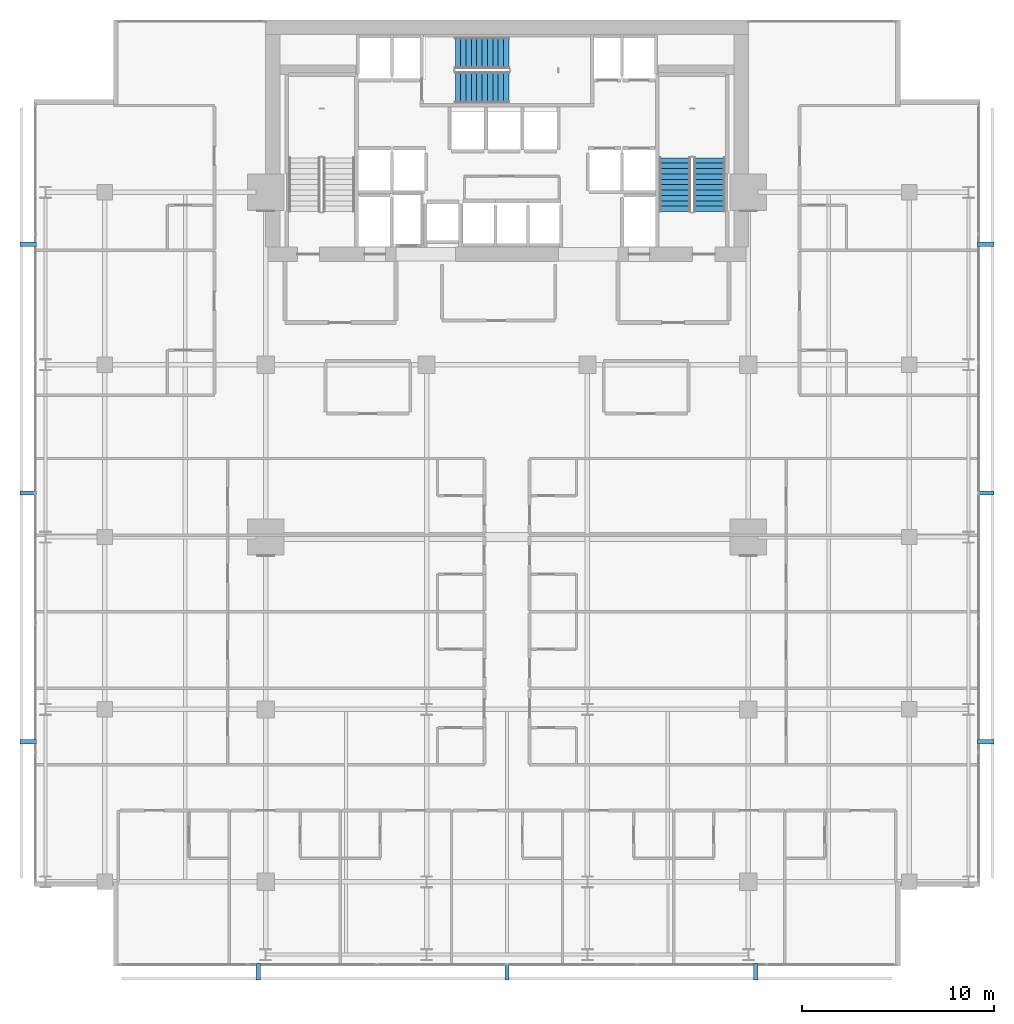
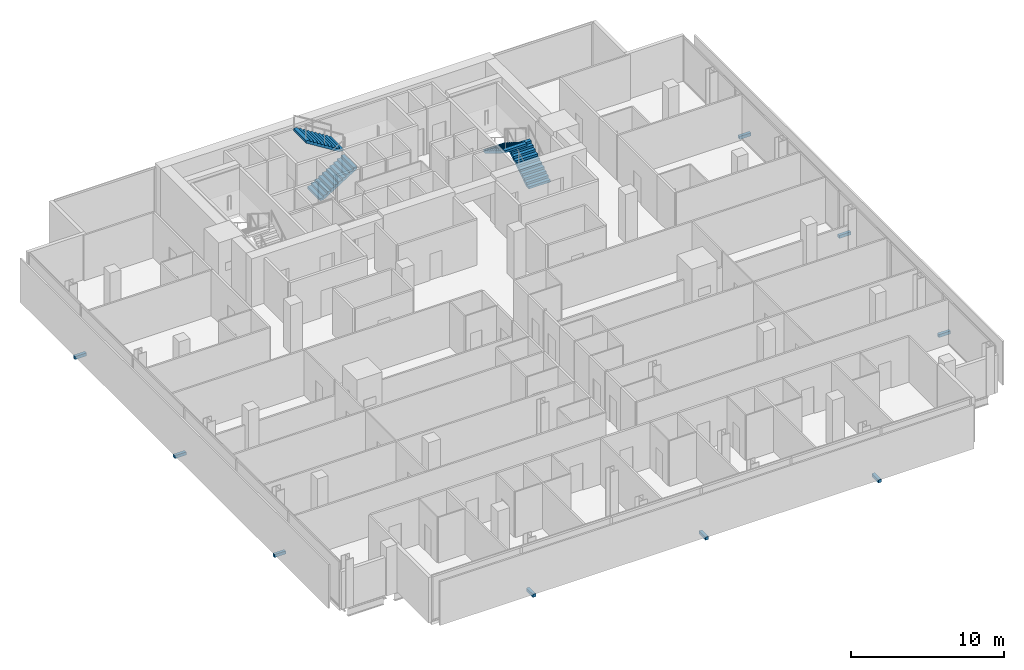
# One storey, part 32 of 34: 9 discrete accessories, 4 stair flights, 2 elements without a shape of their own.
"""IFC4 building model written with IfcOpenShell, lengths in metres."""

from ifc_helpers import new_model, si_unit, direction, frame, origin, origin_2d, place, context, subcontext, project, spatial, polyline, rectangle, outline, extrude, material, type_object, element, aggregate, save


model = new_model("IFC4")

# Units and contexts
model_context = context("Model", 3, precision=1e-05, world=origin(), true_north=direction((0.0, 1.0)))
body_context = subcontext(model_context, "Body", "Model", "MODEL_VIEW")
ifc_project = project(units=[si_unit("LENGTHUNIT", "METRE"), si_unit("AREAUNIT", "SQUARE_METRE"), si_unit("VOLUMEUNIT", "CUBIC_METRE"), si_unit("PLANEANGLEUNIT", "RADIAN"), si_unit("MASSUNIT", "GRAM", prefix="KILO")], contexts=[model_context])

# Site, building, storey
site_placement = place(None, origin())
site = spatial("IfcSite", under=ifc_project, at=site_placement, CompositionType="ELEMENT")
building_placement = place(site_placement, origin())
building = spatial("IfcBuilding", under=site, at=building_placement, Name="Maruvema Waterfront Hotel and Observation Tower", CompositionType="ELEMENT")
storey_placement = place(building_placement, frame((0.0, 0.0, 127.39990234375)))
storey = spatial("IfcBuildingStorey", under=building, at=storey_placement, Name="L30", CompositionType="ELEMENT", Elevation=127.39990234375)

# Stair, stair flights
ifc_material_1 = material(Name="Concrete C50/60", Category="concrete")
stair_type = type_object("IfcStairType", Name="Dogleg Exit Stair 1650 mm (22R x 175.0 mm)", PredefinedType="HALF_TURN_STAIR", material=ifc_material_1)
stair_1_placement = place(storey_placement, origin())
stair_1 = element("IfcStair", 1, at=stair_1_placement, inside=storey, type_object=stair_type, Name="L30 ST-02", PredefinedType="HALF_TURN_STAIR")
ifc_material_2 = material(Name="Concrete C50/60", Category="concrete")
stair_flight_type = type_object("IfcStairFlightType", Name="Reinforced Concrete Stair Flight 1650 mm (11R x 175.0 mm)", PredefinedType="STRAIGHT", material=ifc_material_2)
stair_flight_1_placement = place(storey_placement, frame((35.10009765625, 50.47509765625, 0.0), z_axis=(0.0, 0.0, 1.0), x_axis=(1.0, 0.0, 0.0)))
stair_flight_1 = element("IfcStairFlight", 2, at=stair_flight_1_placement, type_object=stair_flight_type, Name="ST-02 flight 1", NumberOfRisers=11, NumberOfTreads=10, PredefinedType="STRAIGHT", RiserHeight=0.175, TreadLength=0.28, context=body_context, shape_type="SweptSolid", body=[
    extrude(outline(polyline([(0.0, 0.0), (0.0, 0.175048828125), (0.280029296875, 0.175048828125), (0.280029296875, 0.35009765625), (0.56005859375, 0.35009765625), (0.56005859375, 0.52490234375), (0.840087890625, 0.52490234375), (0.840087890625, 0.699951171875), (1.1201171875, 0.699951171875), (1.1201171875, 0.875), (1.39990234375, 0.875), (1.39990234375, 1.050048828125), (1.679931640625, 1.050048828125), (1.679931640625, 1.22509765625), (1.9599609375, 1.22509765625), (1.9599609375, 1.39990234375), (2.239990234375, 1.39990234375), (2.239990234375, 1.574951171875), (2.52001953125, 1.574951171875), (2.52001953125, 1.75), (2.800048828125, 1.75), (2.800048828125, 1.925048828125), (2.800048828125, 1.5732421875), (0.28271484375, 0.0), (0.0, 0.0)])), frame((0.0, 0.824951171875, 0.0), z_axis=(0.0, -1.0, 0.0), x_axis=(1.0, 0.0, 0.0)), (0.0, 0.0, 1.0), 1.64990234375),
])
stair_flight_2_placement = place(storey_placement, frame((37.89990234375, 52.27490234375, 1.925048828125), z_axis=(0.0, 0.0, 1.0), x_axis=(-1.0, 0.0, 0.0)))
stair_flight_2 = element("IfcStairFlight", 3, at=stair_flight_2_placement, type_object=stair_flight_type, Name="ST-02 flight 2", NumberOfRisers=11, NumberOfTreads=10, PredefinedType="STRAIGHT", RiserHeight=0.175, TreadLength=0.28, context=body_context, shape_type="SweptSolid", body=[
    extrude(outline(polyline([(0.0, 0.0), (0.0, 0.175048828125), (0.280029296875, 0.175048828125), (0.280029296875, 0.35009765625), (0.56005859375, 0.35009765625), (0.56005859375, 0.52490234375), (0.840087890625, 0.52490234375), (0.840087890625, 0.699951171875), (1.1201171875, 0.699951171875), (1.1201171875, 0.875), (1.39990234375, 0.875), (1.39990234375, 1.050048828125), (1.679931640625, 1.050048828125), (1.679931640625, 1.22509765625), (1.9599609375, 1.22509765625), (1.9599609375, 1.39990234375), (2.239990234375, 1.39990234375), (2.239990234375, 1.574951171875), (2.52001953125, 1.574951171875), (2.52001953125, 1.75), (2.800048828125, 1.75), (2.800048828125, 1.925048828125), (2.800048828125, 1.5732421875), (0.28271484375, 0.0), (0.0, 0.0)])), frame((0.0, 0.824951171875, 0.0), z_axis=(0.0, -1.0, 0.0), x_axis=(1.0, 0.0, 0.0)), (0.0, 0.0, 1.0), 1.64990234375),
])
aggregate(stair_1, [stair_flight_1, stair_flight_2])

stair_2_placement = place(storey_placement, origin())
stair_2 = element("IfcStair", 4, at=stair_2_placement, inside=storey, type_object=stair_type, Name="L30 ST-03", PredefinedType="HALF_TURN_STAIR")
stair_flight_3_placement = place(storey_placement, frame((48.375, 44.0, 0.0), z_axis=(0.0, 0.0, 1.0), x_axis=(0.0, 1.0, 0.0)))
stair_flight_3 = element("IfcStairFlight", 5, at=stair_flight_3_placement, type_object=stair_flight_type, Name="ST-03 flight 1", NumberOfRisers=11, NumberOfTreads=10, PredefinedType="STRAIGHT", RiserHeight=0.175, TreadLength=0.28, context=body_context, shape_type="SweptSolid", body=[
    extrude(outline(polyline([(0.0, 0.0), (0.0, 0.175048828125), (0.280029296875, 0.175048828125), (0.280029296875, 0.35009765625), (0.56005859375, 0.35009765625), (0.56005859375, 0.52490234375), (0.840087890625, 0.52490234375), (0.840087890625, 0.699951171875), (1.1201171875, 0.699951171875), (1.1201171875, 0.875), (1.39990234375, 0.875), (1.39990234375, 1.050048828125), (1.679931640625, 1.050048828125), (1.679931640625, 1.22509765625), (1.9599609375, 1.22509765625), (1.9599609375, 1.39990234375), (2.239990234375, 1.39990234375), (2.239990234375, 1.574951171875), (2.52001953125, 1.574951171875), (2.52001953125, 1.75), (2.800048828125, 1.75), (2.800048828125, 1.925048828125), (2.800048828125, 1.5732421875), (0.28271484375, 0.0), (0.0, 0.0)])), frame((0.0, 0.824951171875, 0.0), z_axis=(0.0, -1.0, 0.0), x_axis=(1.0, 0.0, 0.0)), (0.0, 0.0, 1.0), 1.64990234375),
])
stair_flight_4_placement = place(storey_placement, frame((46.574951171875, 46.800048828125, 1.925048828125), z_axis=(0.0, 0.0, 1.0), x_axis=(0.0, -1.0, 0.0)))
stair_flight_4 = element("IfcStairFlight", 6, at=stair_flight_4_placement, type_object=stair_flight_type, Name="ST-03 flight 2", NumberOfRisers=11, NumberOfTreads=10, PredefinedType="STRAIGHT", RiserHeight=0.175, TreadLength=0.28, context=body_context, shape_type="SweptSolid", body=[
    extrude(outline(polyline([(0.0, 0.0), (0.0, 0.175048828125), (0.280029296875, 0.175048828125), (0.280029296875, 0.35009765625), (0.56005859375, 0.35009765625), (0.56005859375, 0.52490234375), (0.840087890625, 0.52490234375), (0.840087890625, 0.699951171875), (1.1201171875, 0.699951171875), (1.1201171875, 0.875), (1.39990234375, 0.875), (1.39990234375, 1.050048828125), (1.679931640625, 1.050048828125), (1.679931640625, 1.22509765625), (1.9599609375, 1.22509765625), (1.9599609375, 1.39990234375), (2.239990234375, 1.39990234375), (2.239990234375, 1.574951171875), (2.52001953125, 1.574951171875), (2.52001953125, 1.75), (2.800048828125, 1.75), (2.800048828125, 1.925048828125), (2.800048828125, 1.5732421875), (0.28271484375, 0.0), (0.0, 0.0)])), frame((0.0, 0.824951171875, 0.0), z_axis=(0.0, -1.0, 0.0), x_axis=(1.0, 0.0, 0.0)), (0.0, 0.0, 1.0), 1.64990234375),
])
aggregate(stair_2, [stair_flight_3, stair_flight_4])

# Discrete accessories
ifc_material_3 = material(Name="Duplex stainless steel Grade 2205", Category="steel")
discrete_accessory_type = type_object("IfcDiscreteAccessoryType", Name="Double-Skin Cavity Stainless Outrigger Bracket", PredefinedType="BRACKET", material=ifc_material_3)
for number, where, z_axis, x_axis, name in (
    (7, (24.80810546875, 4.300048828125, -0.14013671875), (0.0, 0.0, 1.0), (1.0, 0.0, 0.0), "L30 Outer Skin Support Bracket 1"),
    (8, (37.800048828125, 4.300048828125, -0.14013671875), (0.0, 0.0, 1.0), (1.0, 0.0, 0.0), "L30 Outer Skin Support Bracket 2"),
    (9, (50.7919921875, 4.300048828125, -0.14013671875), (0.0, 0.0, 1.0), (1.0, 0.0, 0.0), "L30 Outer Skin Support Bracket 3"),
    (10, (62.800048828125, 16.30810546875, -0.14013671875), (0.0, 0.0, 1.0), (0.0, 1.0, 0.0), "L30 Outer Skin Support Bracket 1"),
    (11, (62.800048828125, 29.300048828125, -0.14013671875), (0.0, 0.0, 1.0), (0.0, 1.0, 0.0), "L30 Outer Skin Support Bracket 2"),
    (12, (62.800048828125, 42.2919921875, -0.14013671875), (0.0, 0.0, 1.0), (0.0, 1.0, 0.0), "L30 Outer Skin Support Bracket 3"),
    (13, (12.800048828125, 42.2919921875, -0.14013671875), (0.0, 0.0, 1.0), (0.0, -1.0, 0.0), "L30 Outer Skin Support Bracket 1"),
    (14, (12.800048828125, 29.300048828125, -0.14013671875), (0.0, 0.0, 1.0), (0.0, -1.0, 0.0), "L30 Outer Skin Support Bracket 2"),
    (15, (12.800048828125, 16.30810546875, -0.14013671875), (0.0, 0.0, 1.0), (0.0, -1.0, 0.0), "L30 Outer Skin Support Bracket 3"),
):
    element("IfcDiscreteAccessory", number, at=place(storey_placement, frame(where, z_axis=z_axis, x_axis=x_axis)), inside=storey, type_object=discrete_accessory_type, Name=name, PredefinedType="BRACKET", context=body_context, shape_type="SweptSolid", body=[
        extrude(rectangle(XDim=0.219970703125, YDim=0.860107421875, at=origin_2d()), origin(), (0.0, 0.0, 1.0), 0.239990234375),
    ])

save(model, "model.ifc")
